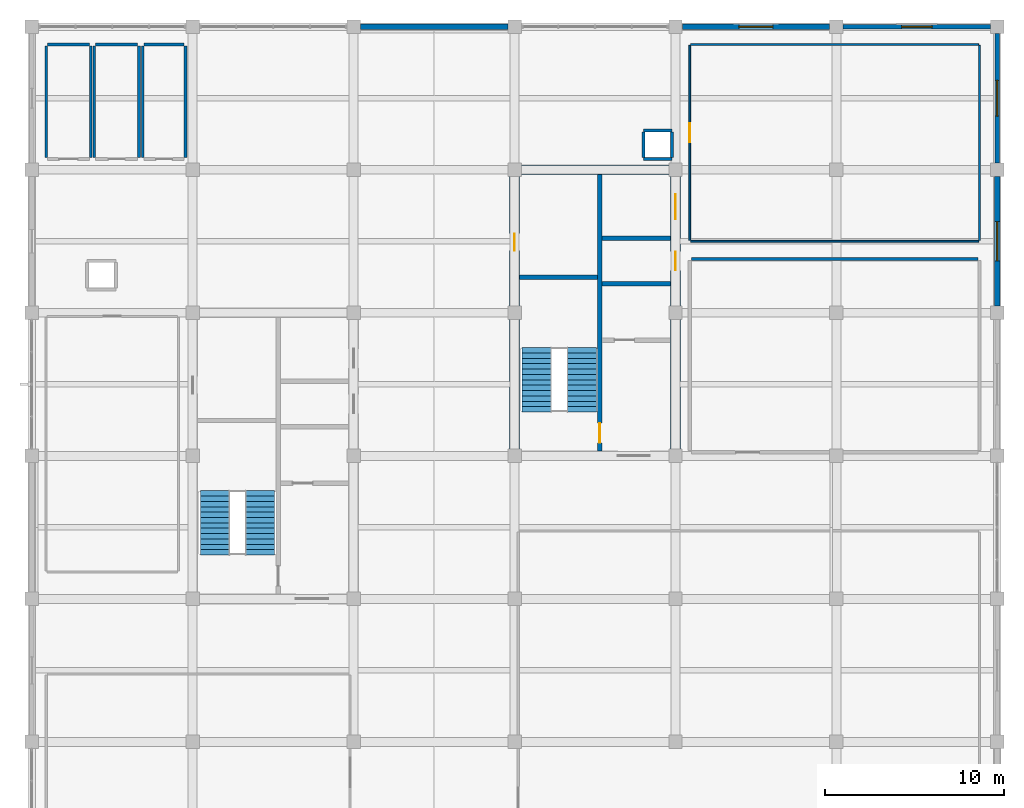
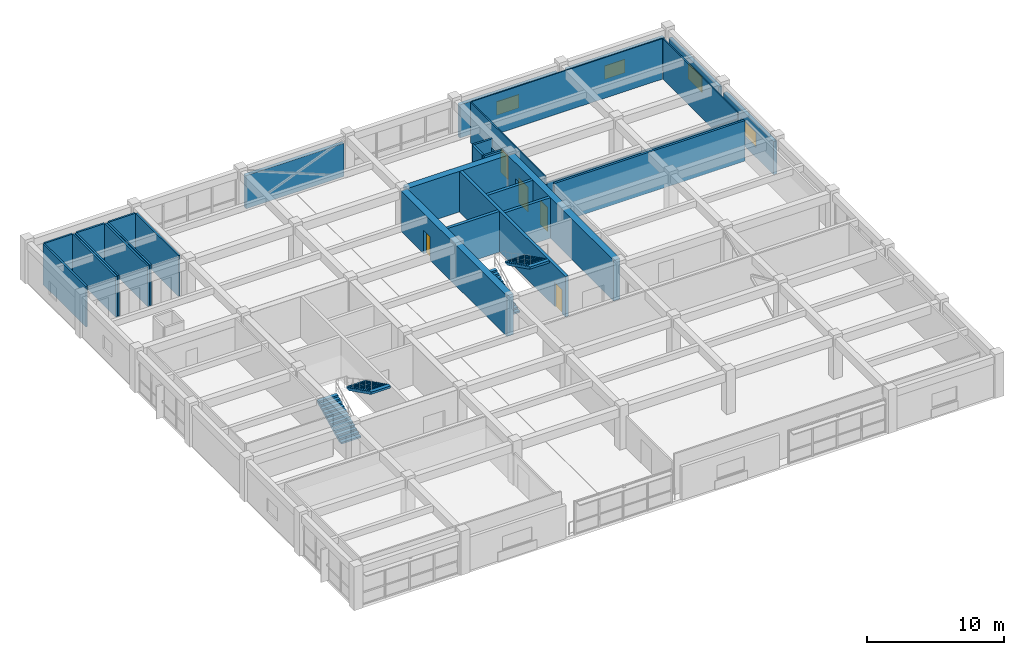
# One storey, part 13 of 15: 30 walls, 5 doors, 4 stair flights, 4 windows, 9 openings, 2 elements without a shape of their own.
"""IFC4 building model written with IfcOpenShell, lengths in metres."""

import ifcopenshell
import ifcopenshell.guid

model = None  # the IFC model being written
_history = None  # IfcOwnerHistory: only IFC2X3 demands one
_inside = {}  # id of a spatial element -> (the spatial element, [elements in it])
_under = {}  # id of a project, library or spatial element -> (it, [spatial elements below it])
_declared = {}  # id of a project -> (the project, [libraries it declares])
_typed = {}  # id of a type object -> (the type object, [elements of that type])
_made_of = {}  # id of a material, layer set ... -> (it, [elements and type objects made of it])


def new_model(schema):
    """Start an empty IFC model of exactly this schema.

    Asked for "IFC4X3", IfcOpenShell would pick the latest addendum, in which some entities
    have other attributes; the version numbers below select the first issue.
    IFC2X3 requires an IfcOwnerHistory on every rooted entity: one is made here for all.
    """
    global model, _history
    if schema == "IFC4X3":
        model = ifcopenshell.file(schema_version=(4, 3, 0, 0))
    else:
        model = ifcopenshell.file(schema=schema)
    _inside.clear()
    _under.clear()
    _declared.clear()
    _typed.clear()
    _made_of.clear()
    _history = None
    if model.schema == "IFC2X3":
        org = make("IfcOrganization", Name="unknown")
        user = make(
            "IfcPersonAndOrganization",
            ThePerson=make("IfcPerson", FamilyName="unknown"),
            TheOrganization=org,
        )
        app = make(
            "IfcApplication",
            ApplicationDeveloper=org,
            Version="unknown",
            ApplicationFullName="unknown",
            ApplicationIdentifier="unknown",
        )
        _history = make(
            "IfcOwnerHistory",
            OwningUser=user,
            OwningApplication=app,
            ChangeAction="ADDED",
            CreationDate=0,
        )
    return model


def make(cls, **values):
    """One entity of the class cls with the attributes given. An attribute that is None is left unset."""
    return model.create_entity(
        cls, **{name: value for name, value in values.items() if value is not None}
    )


def rooted(cls, **values):
    """An entity with a GlobalId (a new one), such as an element, a storey or a relation."""
    return make(cls, GlobalId=ifcopenshell.guid.new(), OwnerHistory=_history, **values)


def si_unit(unit_type, name, prefix=None):
    """IfcSIUnit, for example si_unit("LENGTHUNIT", "METRE", prefix="MILLI")."""
    return make("IfcSIUnit", UnitType=unit_type, Prefix=prefix, Name=name)


def assignment(units):
    """IfcUnitAssignment: the units of a project."""
    return None if units is None else make("IfcUnitAssignment", Units=units)


def point(xyz):
    """IfcCartesianPoint."""
    return None if xyz is None else make("IfcCartesianPoint", Coordinates=xyz)


def direction(xyz):
    """IfcDirection."""
    return None if xyz is None else make("IfcDirection", DirectionRatios=xyz)


def frame(location, z_axis=None, x_axis=None):
    """IfcAxis2Placement3D, a coordinate frame: its origin and axes. An axis left out is left unset."""
    return make(
        "IfcAxis2Placement3D",
        Location=point(location),
        Axis=direction(z_axis),
        RefDirection=direction(x_axis),
    )


def frame_2d(location, x_axis=None):
    """IfcAxis2Placement2D, a coordinate frame in the plane: its origin and x axis."""
    return make(
        "IfcAxis2Placement2D", Location=point(location), RefDirection=direction(x_axis)
    )


def origin():
    """The frame at (0, 0, 0) with its axes left unset."""
    return frame((0.0, 0.0, 0.0))


def place(relative_to, where):
    """IfcLocalPlacement: puts the frame where relative to a parent placement (None: the world)."""
    return make(
        "IfcLocalPlacement", PlacementRelTo=relative_to, RelativePlacement=where
    )


def context(
    kind, dimensions, precision=None, world=None, true_north=None, identifier=None
):
    """IfcGeometricRepresentationContext, for example the 3D "Model" context."""
    return make(
        "IfcGeometricRepresentationContext",
        ContextIdentifier=identifier,
        ContextType=kind,
        CoordinateSpaceDimension=dimensions,
        Precision=precision,
        WorldCoordinateSystem=world,
        TrueNorth=true_north,
    )


def subcontext(parent, identifier, kind, view, scale=None):
    """IfcGeometricRepresentationSubContext, for example "Body" below "Model"."""
    return make(
        "IfcGeometricRepresentationSubContext",
        ContextIdentifier=identifier,
        ContextType=kind,
        ParentContext=parent,
        TargetScale=scale,
        TargetView=view,
    )


def project(units=None, contexts=None):
    """IfcProject with its units and contexts."""
    return rooted(
        "IfcProject",
        Name="project",
        RepresentationContexts=contexts,
        UnitsInContext=assignment(units),
    )


def spatial(cls, under=None, at=None, **own):
    """A site, building, storey or space (cls), placed at a placement, below another one or the project."""
    s = rooted(cls, ObjectPlacement=at, **own)
    if under is not None:
        _under.setdefault(under.id(), (under, []))[1].append(s)
    return s


def polyline(points):
    """IfcPolyline through the points."""
    return make("IfcPolyline", Points=[point(p) for p in points])


def profile(cls, at=None, kind="AREA", **sizes):
    """A parametric profile (cls). Its sizes go by their IFC names, for example OverallWidth=200.0."""
    return make(cls, ProfileType=kind, Position=at, **sizes)


def rectangle(**sizes):
    """IfcRectangleProfileDef."""
    return profile("IfcRectangleProfileDef", **sizes)


def outline(outer, holes=None, kind="AREA"):
    """IfcArbitraryClosedProfileDef: a profile drawn as a closed curve; with holes, ...WithVoids."""
    if holes is None:
        return make("IfcArbitraryClosedProfileDef", ProfileType=kind, OuterCurve=outer)
    return make(
        "IfcArbitraryProfileDefWithVoids",
        ProfileType=kind,
        OuterCurve=outer,
        InnerCurves=holes,
    )


def extrude(swept, where, along, depth):
    """IfcExtrudedAreaSolid: the profile swept, set in the frame where, extruded along a direction by depth."""
    return make(
        "IfcExtrudedAreaSolid",
        SweptArea=swept,
        Position=where,
        ExtrudedDirection=direction(along),
        Depth=depth,
    )


def shape(context_of_items, identifier, shape_type, items):
    """IfcShapeRepresentation: the items that make up one representation, for example the "Body"."""
    return make(
        "IfcShapeRepresentation",
        ContextOfItems=context_of_items,
        RepresentationIdentifier=identifier,
        RepresentationType=shape_type,
        Items=items,
    )


def material(Name=None, Category=None):
    """IfcMaterial."""
    return make("IfcMaterial", Name=Name, Category=Category)


def layer(
    of_material, thickness, ventilated=None, Name=None, Category=None, Priority=None
):
    """IfcMaterialLayer: one layer of a wall or slab, of a material (None: an air gap)."""
    return make(
        "IfcMaterialLayer",
        Material=of_material,
        LayerThickness=thickness,
        IsVentilated=ventilated,
        Name=Name,
        Category=Category,
        Priority=Priority,
    )


def layer_set(layers, Name=None):
    """IfcMaterialLayerSet."""
    return make("IfcMaterialLayerSet", MaterialLayers=layers, LayerSetName=Name)


def made_of(thing, what):
    """Note that an element or type object is made of a material, layer set ...; save() writes the relation."""
    if what is not None:
        _made_of.setdefault(what.id(), (what, []))[1].append(thing)
    return thing


def type_object(cls, material=None, **own):
    """A type object (cls), such as IfcWallType, which elements share."""
    return made_of(rooted(cls, **own), material)


def element(
    cls,
    number,
    at=None,
    inside=None,
    cuts=None,
    type_object=None,
    material=None,
    context=None,
    identifier="Body",
    shape_type=None,
    held_by="IfcProductDefinitionShape",
    body=None,
    shapes=None,
    **own,
):
    """One element of the class cls, such as IfcWall. Its Tag is "e" and its number.

    at: its placement. inside: the storey or other place that contains it. cuts: it is an
    opening in that element (IfcRelVoidsElement). A single representation is given by context,
    identifier, shape_type and body (its items); several are given by shapes. held_by: the class
    of the entity that holds the representations. save() writes the other relations.
    """
    e = rooted(cls, Tag="e%d" % number, ObjectPlacement=at, **own)
    if body is not None:
        shapes = [shape(context, identifier, shape_type, body)]
    if shapes is not None:
        e.Representation = make(held_by, Representations=shapes)
    if inside is not None:
        _inside.setdefault(inside.id(), (inside, []))[1].append(e)
    if cuts is not None:
        rooted(
            "IfcRelVoidsElement", RelatingBuildingElement=cuts, RelatedOpeningElement=e
        )
    if type_object is not None:
        _typed.setdefault(type_object.id(), (type_object, []))[1].append(e)
    return made_of(e, material)


def fill(opening, filler):
    """IfcRelFillsElement: the door or window that sits in an opening."""
    return rooted(
        "IfcRelFillsElement",
        RelatingOpeningElement=opening,
        RelatedBuildingElement=filler,
    )


def aggregate(whole, parts):
    """IfcRelAggregates: a whole, such as a stair, and the parts it consists of."""
    return rooted("IfcRelAggregates", RelatingObject=whole, RelatedObjects=parts)


def save(model, path):
    """Write the relations noted so far, then the file.

    IfcRelAggregates (storeys below a building ...), IfcRelContainedInSpatialStructure (elements
    in a storey), IfcRelDefinesByType, IfcRelAssociatesMaterial and IfcRelDeclares: one each for
    every whole, place, type object, material and project.
    """
    for whole, parts in _under.values():
        aggregate(whole, parts)
    for where, things in _inside.values():
        rooted(
            "IfcRelContainedInSpatialStructure",
            RelatedElements=things,
            RelatingStructure=where,
        )
    for kind, things in _typed.values():
        rooted("IfcRelDefinesByType", RelatedObjects=things, RelatingType=kind)
    for what, things in _made_of.values():
        rooted("IfcRelAssociatesMaterial", RelatedObjects=things, RelatingMaterial=what)
    for by, libraries in _declared.values():
        rooted("IfcRelDeclares", RelatingContext=by, RelatedDefinitions=libraries)
    model.write(path)


model = new_model("IFC4")

# Units and contexts
model_context = context("Model", 3, precision=1e-05, world=origin(), true_north=direction((0.0, 1.0)))
body_context = subcontext(model_context, "Body", "Model", "MODEL_VIEW")
ifc_project = project(units=[si_unit("LENGTHUNIT", "METRE"), si_unit("AREAUNIT", "SQUARE_METRE"), si_unit("VOLUMEUNIT", "CUBIC_METRE"), si_unit("PLANEANGLEUNIT", "RADIAN"), si_unit("MASSUNIT", "GRAM", prefix="KILO")], contexts=[model_context])

# Site, building, storey
site_placement = place(None, origin())
site = spatial("IfcSite", under=ifc_project, at=site_placement, CompositionType="ELEMENT")
building_placement = place(site_placement, origin())
building = spatial("IfcBuilding", under=site, at=building_placement, Name="Zaverband Oceanarium and Marine Research Institute", CompositionType="ELEMENT")
storey_placement = place(building_placement, frame((0.0, 0.0, 49.199951171875)))
storey = spatial("IfcBuildingStorey", under=building, at=storey_placement, Name="L12", CompositionType="ELEMENT", Elevation=49.199951171875)

# Wall
ifc_material_1 = material(Name="Concrete C50/60", Category="concrete")
ifc_layer_1 = layer(ifc_material_1, 0.550048828125, Name="Concrete C50/60")
ifc_layer_set_1 = layer_set([ifc_layer_1], Name="Concrete C50/60")
wall_type_1 = type_object("IfcWallType", Name="CW-01", PredefinedType="SHEAR", material=ifc_layer_set_1)
wall_1_placement = place(storey_placement, frame((36.27490234375, 104.0, 0.0), z_axis=(0.0, 0.0, 1.0), x_axis=(1.0, 0.0, 0.0)))
element("IfcWall", 1, at=wall_1_placement, inside=storey, type_object=wall_type_1, Name="Structural shear wall CW-01", PredefinedType="SHEAR", context=body_context, shape_type="SweptSolid", body=[
    extrude(rectangle(XDim=8.4501953125, YDim=0.550048828125, at=frame_2d((4.22509765625, 0.0))), origin(), (0.0, 0.0, 1.0), 3.6201171875),
])

# Wall, opening, door
wall_2_placement = place(storey_placement, frame((36.0, 88.27490234375, 0.0), z_axis=(0.0, 0.0, 1.0), x_axis=(0.0, 1.0, 0.0)))
wall_2 = element("IfcWall", 2, at=wall_2_placement, inside=storey, type_object=wall_type_1, Name="Structural shear wall CW-01", PredefinedType="SHEAR", context=body_context, shape_type="SweptSolid", body=[
    extrude(rectangle(XDim=15.4501953125, YDim=0.550048828125, at=frame_2d((7.72509765625, 0.0))), origin(), (0.0, 0.0, 1.0), 3.6201171875),
])
opening_1_placement = place(wall_2_placement, frame((11.199951171875, 0.0, 0.0)))
opening_1 = element("IfcOpeningElement", 3, at=opening_1_placement, cuts=wall_2, Name="Opening FD-03", PredefinedType="OPENING", context=body_context, shape_type="SweptSolid", body=[
    extrude(rectangle(XDim=0.949951171875, YDim=2.10009765625, at=frame_2d((0.47509765625, 1.050048828125))), frame((0.0, 0.287109375, 0.0), z_axis=(0.0, -1.0, 0.0), x_axis=(1.0, 0.0, 0.0)), (0.0, 0.0, 1.0), 0.573974609375),
])
ifc_material_2 = material(Name="Steel S355", Category="steel")
door_type_1 = type_object("IfcDoorType", Name="FD-03", OperationType="NOTDEFINED", PredefinedType="DOOR", material=ifc_material_2)
door_1_placement = place(opening_1_placement, origin())
door_1 = element("IfcDoor", 4, at=door_1_placement, inside=storey, type_object=door_type_1, Name="Service riser access fire door FD-03", OperationType="SINGLE_SWING_RIGHT", OverallHeight=2.10009765625, OverallWidth=0.949951171875, PredefinedType="DOOR", context=body_context, shape_type="SweptSolid", body=[
    extrude(rectangle(XDim=0.949951171875, YDim=2.10009765625, at=frame_2d((0.47509765625, 1.050048828125))), frame((0.0, 0.02490234375, 0.0), z_axis=(0.0, -1.0, 0.0), x_axis=(1.0, 0.0, 0.0)), (0.0, 0.0, 1.0), 0.050048828125),
])
fill(opening_1, door_1)

# Wall, openings, doors
wall_3_placement = place(storey_placement, frame((45.0, 88.27490234375, 0.0), z_axis=(0.0, 0.0, 1.0), x_axis=(0.0, 1.0, 0.0)))
wall_3 = element("IfcWall", 5, at=wall_3_placement, inside=storey, type_object=wall_type_1, Name="Structural shear wall CW-01", PredefinedType="SHEAR", context=body_context, shape_type="SweptSolid", body=[
    extrude(rectangle(XDim=15.4501953125, YDim=0.550048828125, at=frame_2d((7.72509765625, 0.0))), origin(), (0.0, 0.0, 1.0), 3.6201171875),
])
opening_2_placement = place(wall_3_placement, frame((10.10009765625, 0.0, 0.0)))
opening_2 = element("IfcOpeningElement", 6, at=opening_2_placement, cuts=wall_3, Name="Opening LD-02", PredefinedType="OPENING", context=body_context, shape_type="SweptSolid", body=[
    extrude(rectangle(XDim=1.050048828125, YDim=2.1201171875, at=frame_2d((0.52490234375, 1.06005859375))), frame((0.0, 0.287109375, 0.0), z_axis=(0.0, -1.0, 0.0), x_axis=(1.0, 0.0, 0.0)), (0.0, 0.0, 1.0), 0.573974609375),
])
opening_3_placement = place(wall_3_placement, frame((12.949951171875, 0.0, 0.0)))
opening_3 = element("IfcOpeningElement", 7, at=opening_3_placement, cuts=wall_3, Name="Opening LD-03", PredefinedType="OPENING", context=body_context, shape_type="SweptSolid", body=[
    extrude(rectangle(XDim=1.39990234375, YDim=2.199951171875, at=frame_2d((0.699951171875, 1.10009765625))), frame((0.0, 0.287109375, 0.0), z_axis=(0.0, -1.0, 0.0), x_axis=(1.0, 0.0, 0.0)), (0.0, 0.0, 1.0), 0.573974609375),
])
door_type_2 = type_object("IfcDoorType", Name="LD-02", OperationType="DOUBLE_DOOR_SLIDING", PredefinedType="DOOR", material=ifc_material_2)
door_2_placement = place(opening_2_placement, origin())
door_2 = element("IfcDoor", 8, at=door_2_placement, inside=storey, type_object=door_type_2, Name="Passenger lift sliding landing door LD-02", OperationType="DOUBLE_DOOR_SLIDING", OverallHeight=2.1201171875, OverallWidth=1.050048828125, PredefinedType="DOOR", context=body_context, shape_type="SweptSolid", body=[
    extrude(rectangle(XDim=1.050048828125, YDim=2.1201171875, at=frame_2d((0.52490234375, 1.06005859375))), frame((0.0, 0.02490234375, 0.0), z_axis=(0.0, -1.0, 0.0), x_axis=(1.0, 0.0, 0.0)), (0.0, 0.0, 1.0), 0.050048828125),
])
fill(opening_2, door_2)
door_type_3 = type_object("IfcDoorType", Name="LD-03", OperationType="DOUBLE_DOOR_SLIDING", PredefinedType="DOOR", material=ifc_material_2)
door_3_placement = place(opening_3_placement, origin())
door_3 = element("IfcDoor", 9, at=door_3_placement, inside=storey, type_object=door_type_3, Name="Specimen goods lift sliding landing door LD-03", OperationType="DOUBLE_DOOR_SLIDING", OverallHeight=2.199951171875, OverallWidth=1.39990234375, PredefinedType="DOOR", context=body_context, shape_type="SweptSolid", body=[
    extrude(rectangle(XDim=1.39990234375, YDim=2.199951171875, at=frame_2d((0.699951171875, 1.10009765625))), frame((0.0, 0.02490234375, 0.0), z_axis=(0.0, -1.0, 0.0), x_axis=(1.0, 0.0, 0.0)), (0.0, 0.0, 1.0), 0.050048828125),
])
fill(opening_3, door_3)

# Wall, opening, window
ifc_material_3 = material(Name="Concrete C40/50 precast", Category="concrete")
ifc_layer_2 = layer(ifc_material_3, 0.264892578125, Name="Concrete C40/50 precast")
ifc_layer_set_2 = layer_set([ifc_layer_2], Name="Concrete C40/50 precast")
wall_type_2 = type_object("IfcWallType", Name="EW-265", PredefinedType="STANDARD", material=ifc_layer_set_2)
wall_4_placement = place(storey_placement, frame((54.3798828125, 112.0, 0.0), z_axis=(0.0, 0.0, 1.0), x_axis=(1.0, 0.0, 0.0)))
wall_4 = element("IfcWall", 10, at=wall_4_placement, inside=storey, type_object=wall_type_2, Name="Exterior infill wall EW-265", PredefinedType="STANDARD", context=body_context, shape_type="SweptSolid", body=[
    extrude(rectangle(XDim=8.240234375, YDim=0.264892578125, at=frame_2d((4.1201171875, 0.0))), origin(), (0.0, 0.0, 1.0), 2.949951171875),
])
opening_4_placement = place(wall_4_placement, frame((3.27001953125, 0.0, 0.85009765625)))
opening_4 = element("IfcOpeningElement", 11, at=opening_4_placement, cuts=wall_4, Name="Opening WN-1700x1200", PredefinedType="OPENING", context=body_context, shape_type="SweptSolid", body=[
    extrude(rectangle(XDim=1.699951171875, YDim=1.199951171875, at=frame_2d((0.85009765625, 0.60009765625))), frame((0.0, 0.14453125, 0.0), z_axis=(0.0, -1.0, 0.0), x_axis=(1.0, 0.0, 0.0)), (0.0, 0.0, 1.0), 0.288818359375),
])
ifc_material_4 = material(Name="Thermally broken anodized aluminium and solar-control glass", Category="aluminium")
window_type_1 = type_object("IfcWindowType", Name="WN-1700x1200", PartitioningType="SINGLE_PANEL", PredefinedType="WINDOW", material=ifc_material_4)
window_1_placement = place(opening_4_placement, origin())
window_1 = element("IfcWindow", 12, at=window_1_placement, inside=storey, type_object=window_type_1, Name="Fixed / casement exterior window WN-1700x1200", OverallHeight=1.199951171875, OverallWidth=1.699951171875, PartitioningType="SINGLE_PANEL", PredefinedType="WINDOW", context=body_context, shape_type="SweptSolid", body=[
    extrude(rectangle(XDim=1.699951171875, YDim=1.199951171875, at=frame_2d((0.85009765625, 0.60009765625))), frame((0.0, 0.030029296875, 0.0), z_axis=(0.0, -1.0, 0.0), x_axis=(1.0, 0.0, 0.0)), (0.0, 0.0, 1.0), 0.06005859375),
])
fill(opening_4, window_1)

wall_5_placement = place(storey_placement, frame((63.0, 104.3798828125, 0.0), z_axis=(0.0, 0.0, 1.0), x_axis=(0.0, 1.0, 0.0)))
wall_5 = element("IfcWall", 13, at=wall_5_placement, inside=storey, type_object=wall_type_2, Name="Exterior infill wall EW-265", PredefinedType="STANDARD", context=body_context, shape_type="SweptSolid", body=[
    extrude(rectangle(XDim=7.240234375, YDim=0.264892578125, at=frame_2d((3.6201171875, 0.0))), origin(), (0.0, 0.0, 1.0), 2.949951171875),
])
opening_5_placement = place(wall_5_placement, frame((2.6201171875, 0.0, 0.85009765625)))
opening_5 = element("IfcOpeningElement", 14, at=opening_5_placement, cuts=wall_5, Name="Opening WN-2000x1350", PredefinedType="OPENING", context=body_context, shape_type="SweptSolid", body=[
    extrude(rectangle(XDim=2.0, YDim=1.35009765625, at=frame_2d((1.0, 0.675048828125))), frame((0.0, 0.14453125, 0.0), z_axis=(0.0, -1.0, 0.0), x_axis=(1.0, 0.0, 0.0)), (0.0, 0.0, 1.0), 0.288818359375),
])
window_type_2 = type_object("IfcWindowType", Name="WN-2000x1350", PartitioningType="SINGLE_PANEL", PredefinedType="WINDOW", material=ifc_material_4)
window_2_placement = place(opening_5_placement, origin())
window_2 = element("IfcWindow", 15, at=window_2_placement, inside=storey, type_object=window_type_2, Name="Fixed / casement exterior window WN-2000x1350", OverallHeight=1.35009765625, OverallWidth=2.0, PartitioningType="SINGLE_PANEL", PredefinedType="WINDOW", context=body_context, shape_type="SweptSolid", body=[
    extrude(rectangle(XDim=2.0, YDim=1.35009765625, at=frame_2d((1.0, 0.675048828125))), frame((0.0, 0.030029296875, 0.0), z_axis=(0.0, -1.0, 0.0), x_axis=(1.0, 0.0, 0.0)), (0.0, 0.0, 1.0), 0.06005859375),
])
fill(opening_5, window_2)

# Wall
ifc_layer_3 = layer(ifc_material_3, 0.2900390625, Name="Concrete C40/50 precast")
ifc_layer_set_3 = layer_set([ifc_layer_3], Name="Concrete C40/50 precast")
wall_type_3 = type_object("IfcWallType", Name="EW-290", PredefinedType="STANDARD", material=ifc_layer_set_3)
wall_6_placement = place(storey_placement, frame((27.3798828125, 112.0, 0.0), z_axis=(0.0, 0.0, 1.0), x_axis=(1.0, 0.0, 0.0)))
element("IfcWall", 16, at=wall_6_placement, inside=storey, type_object=wall_type_3, Name="Exterior infill wall EW-290", PredefinedType="STANDARD", context=body_context, shape_type="SweptSolid", body=[
    extrude(rectangle(XDim=8.240234375, YDim=0.2900390625, at=frame_2d((4.1201171875, 0.0))), origin(), (0.0, 0.0, 1.0), 2.949951171875),
])

# Wall, opening, window
wall_7_placement = place(storey_placement, frame((45.3798828125, 112.0, 0.0), z_axis=(0.0, 0.0, 1.0), x_axis=(1.0, 0.0, 0.0)))
wall_7 = element("IfcWall", 17, at=wall_7_placement, inside=storey, type_object=wall_type_3, Name="Exterior infill wall EW-290", PredefinedType="STANDARD", context=body_context, shape_type="SweptSolid", body=[
    extrude(rectangle(XDim=8.240234375, YDim=0.2900390625, at=frame_2d((4.1201171875, 0.0))), origin(), (0.0, 0.0, 1.0), 2.949951171875),
])
opening_6_placement = place(wall_7_placement, frame((3.169921875, 0.0, 0.85009765625)))
opening_6 = element("IfcOpeningElement", 18, at=opening_6_placement, cuts=wall_7, Name="Opening WN-1900x1200", PredefinedType="OPENING", context=body_context, shape_type="SweptSolid", body=[
    extrude(rectangle(XDim=1.89990234375, YDim=1.199951171875, at=frame_2d((0.949951171875, 0.60009765625))), frame((0.0, 0.156982421875, 0.0), z_axis=(0.0, -1.0, 0.0), x_axis=(1.0, 0.0, 0.0)), (0.0, 0.0, 1.0), 0.31396484375),
])
window_type_3 = type_object("IfcWindowType", Name="WN-1900x1200", PartitioningType="SINGLE_PANEL", PredefinedType="WINDOW", material=ifc_material_4)
window_3_placement = place(opening_6_placement, origin())
window_3 = element("IfcWindow", 19, at=window_3_placement, inside=storey, type_object=window_type_3, Name="Fixed / casement exterior window WN-1900x1200", OverallHeight=1.199951171875, OverallWidth=1.89990234375, PartitioningType="SINGLE_PANEL", PredefinedType="WINDOW", context=body_context, shape_type="SweptSolid", body=[
    extrude(rectangle(XDim=1.89990234375, YDim=1.199951171875, at=frame_2d((0.949951171875, 0.60009765625))), frame((0.0, 0.030029296875, 0.0), z_axis=(0.0, -1.0, 0.0), x_axis=(1.0, 0.0, 0.0)), (0.0, 0.0, 1.0), 0.06005859375),
])
fill(opening_6, window_3)

wall_8_placement = place(storey_placement, frame((63.0, 96.3798828125, 0.0), z_axis=(0.0, 0.0, 1.0), x_axis=(0.0, 1.0, 0.0)))
wall_8 = element("IfcWall", 20, at=wall_8_placement, inside=storey, type_object=wall_type_3, Name="Exterior infill wall EW-290", PredefinedType="STANDARD", context=body_context, shape_type="SweptSolid", body=[
    extrude(rectangle(XDim=7.240234375, YDim=0.2900390625, at=frame_2d((3.6201171875, 0.0))), origin(), (0.0, 0.0, 1.0), 2.949951171875),
])
opening_7_placement = place(wall_8_placement, frame((2.52001953125, 0.0, 0.85009765625)))
opening_7 = element("IfcOpeningElement", 21, at=opening_7_placement, cuts=wall_8, Name="Opening WN-2200x1350", PredefinedType="OPENING", context=body_context, shape_type="SweptSolid", body=[
    extrude(rectangle(XDim=2.199951171875, YDim=1.35009765625, at=frame_2d((1.10009765625, 0.675048828125))), frame((0.0, 0.156982421875, 0.0), z_axis=(0.0, -1.0, 0.0), x_axis=(1.0, 0.0, 0.0)), (0.0, 0.0, 1.0), 0.31396484375),
])
window_type_4 = type_object("IfcWindowType", Name="WN-2200x1350", PartitioningType="SINGLE_PANEL", PredefinedType="WINDOW", material=ifc_material_4)
window_4_placement = place(opening_7_placement, origin())
window_4 = element("IfcWindow", 22, at=window_4_placement, inside=storey, type_object=window_type_4, Name="Fixed / casement exterior window WN-2200x1350", OverallHeight=1.35009765625, OverallWidth=2.199951171875, PartitioningType="SINGLE_PANEL", PredefinedType="WINDOW", context=body_context, shape_type="SweptSolid", body=[
    extrude(rectangle(XDim=2.199951171875, YDim=1.35009765625, at=frame_2d((1.10009765625, 0.675048828125))), frame((0.0, 0.030029296875, 0.0), z_axis=(0.0, -1.0, 0.0), x_axis=(1.0, 0.0, 0.0)), (0.0, 0.0, 1.0), 0.06005859375),
])
fill(opening_7, window_4)

# Walls
ifc_material_5 = material(Name="Framed fire-rated glass laboratory partition", Category="glass")
ifc_layer_4 = layer(ifc_material_5, 0.10009765625, Name="Framed fire-rated glass laboratory partition")
ifc_layer_set_4 = layer_set([ifc_layer_4], Name="Framed fire-rated glass laboratory partition")
wall_type_4 = type_object("IfcWallType", Name="PT-100-GL", PredefinedType="PARTITIONING", material=ifc_layer_set_4)
wall_9_placement = place(storey_placement, frame((45.85009765625, 100.0, 0.0), z_axis=(0.0, 0.0, 1.0), x_axis=(1.0, 0.0, 0.0)))
element("IfcWall", 23, at=wall_9_placement, inside=storey, type_object=wall_type_4, Name="Internal partition PT-100-GL", PredefinedType="PARTITIONING", context=body_context, shape_type="SweptSolid", body=[
    extrude(rectangle(XDim=16.099853515625, YDim=0.10009765625, at=frame_2d((8.0498046875, 0.0))), origin(), (0.0, 0.0, 1.0), 3.070068359375),
])
wall_10_placement = place(storey_placement, frame((45.85009765625, 111.0, 0.0), z_axis=(0.0, 0.0, 1.0), x_axis=(1.0, 0.0, 0.0)))
element("IfcWall", 24, at=wall_10_placement, inside=storey, type_object=wall_type_4, Name="Internal partition PT-100-GL", PredefinedType="PARTITIONING", context=body_context, shape_type="SweptSolid", body=[
    extrude(rectangle(XDim=16.099853515625, YDim=0.10009765625, at=frame_2d((8.0498046875, 0.0))), origin(), (0.0, 0.0, 1.0), 3.6201171875),
])

# Wall, opening, door
wall_11_placement = place(storey_placement, frame((45.800048828125, 100.050048828125, 0.0), z_axis=(0.0, 0.0, 1.0), x_axis=(0.0, 1.0, 0.0)))
wall_11 = element("IfcWall", 25, at=wall_11_placement, inside=storey, type_object=wall_type_4, Name="Internal partition PT-100-GL", PredefinedType="PARTITIONING", context=body_context, shape_type="SweptSolid", body=[
    extrude(rectangle(XDim=10.89990234375, YDim=0.10009765625, at=frame_2d((5.449951171875, 0.0))), origin(), (0.0, 0.0, 1.0), 3.6201171875),
])
opening_8_placement = place(wall_11_placement, frame((5.5, 0.0, 0.0)))
opening_8 = element("IfcOpeningElement", 26, at=opening_8_placement, cuts=wall_11, Name="Opening ID-1050x2100", PredefinedType="OPENING", context=body_context, shape_type="SweptSolid", body=[
    extrude(rectangle(XDim=1.050048828125, YDim=2.10009765625, at=frame_2d((0.52490234375, 1.050048828125))), frame((0.0, 0.06201171875, 0.0), z_axis=(0.0, -1.0, 0.0), x_axis=(1.0, 0.0, 0.0)), (0.0, 0.0, 1.0), 0.1240234375),
])
ifc_material_6 = material(Name="Hardwood-veneered acoustic timber", Category="wood")
door_type_4 = type_object("IfcDoorType", Name="ID-1050x2100", OperationType="NOTDEFINED", PredefinedType="DOOR", material=ifc_material_6)
door_4_placement = place(opening_8_placement, origin())
door_4 = element("IfcDoor", 27, at=door_4_placement, inside=storey, type_object=door_type_4, Name="Dry laboratory door ID-1050x2100", OperationType="SINGLE_SWING_RIGHT", OverallHeight=2.10009765625, OverallWidth=1.050048828125, PredefinedType="DOOR", context=body_context, shape_type="SweptSolid", body=[
    extrude(rectangle(XDim=1.050048828125, YDim=2.10009765625, at=frame_2d((0.52490234375, 1.050048828125))), frame((0.0, 0.02490234375, 0.0), z_axis=(0.0, -1.0, 0.0), x_axis=(1.0, 0.0, 0.0)), (0.0, 0.0, 1.0), 0.050048828125),
])
fill(opening_8, door_4)

# Walls
wall_12_placement = place(storey_placement, frame((62.0, 100.050048828125, 0.0), z_axis=(0.0, 0.0, 1.0), x_axis=(0.0, 1.0, 0.0)))
element("IfcWall", 28, at=wall_12_placement, inside=storey, type_object=wall_type_4, Name="Internal partition PT-100-GL", PredefinedType="PARTITIONING", context=body_context, shape_type="SweptSolid", body=[
    extrude(rectangle(XDim=10.89990234375, YDim=0.10009765625, at=frame_2d((5.449951171875, 0.0))), origin(), (0.0, 0.0, 1.0), 3.6201171875),
])
ifc_material_7 = material(Name="Ceramic-tiled wet-room blockwork", Category="masonry")
ifc_layer_5 = layer(ifc_material_7, 0.14990234375, Name="Ceramic-tiled wet-room blockwork")
ifc_layer_set_5 = layer_set([ifc_layer_5], Name="Ceramic-tiled wet-room blockwork")
wall_type_5 = type_object("IfcWallType", Name="PT-150-WC", PredefinedType="PARTITIONING", material=ifc_layer_set_5)
wall_13_placement = place(storey_placement, frame((9.875, 111.0, 0.0), z_axis=(0.0, 0.0, 1.0), x_axis=(1.0, 0.0, 0.0)))
element("IfcWall", 29, at=wall_13_placement, inside=storey, type_object=wall_type_5, Name="Internal partition PT-150-WC", PredefinedType="PARTITIONING", context=body_context, shape_type="SweptSolid", body=[
    extrude(rectangle(XDim=2.35009765625, YDim=0.14990234375, at=frame_2d((1.175048828125, 0.0))), origin(), (0.0, 0.0, 1.0), 3.6201171875),
])
for number, where, z_axis, x_axis, name in (
    (30, (9.800048828125, 104.675048828125, 0.0), (0.0, 0.0, 1.0), (0.0, 1.0, 0.0), "Internal partition PT-150-WC"),
    (31, (12.300048828125, 104.675048828125, 0.0), (0.0, 0.0, 1.0), (0.0, 1.0, 0.0), "Internal partition PT-150-WC"),
):
    element("IfcWall", number, at=place(storey_placement, frame(where, z_axis=z_axis, x_axis=x_axis)), inside=storey, type_object=wall_type_5, Name=name, PredefinedType="PARTITIONING", context=body_context, shape_type="SweptSolid", body=[
        extrude(rectangle(XDim=6.25, YDim=0.14990234375, at=frame_2d((3.125, 0.0))), origin(), (0.0, 0.0, 1.0), 3.6201171875),
    ])
wall_14_placement = place(storey_placement, frame((12.574951171875, 111.0, 0.0), z_axis=(0.0, 0.0, 1.0), x_axis=(1.0, 0.0, 0.0)))
element("IfcWall", 32, at=wall_14_placement, inside=storey, type_object=wall_type_5, Name="Internal partition PT-150-WC", PredefinedType="PARTITIONING", context=body_context, shape_type="SweptSolid", body=[
    extrude(rectangle(XDim=2.35009765625, YDim=0.14990234375, at=frame_2d((1.175048828125, 0.0))), origin(), (0.0, 0.0, 1.0), 3.6201171875),
])
for number, where, z_axis, x_axis, name in (
    (33, (12.5, 104.675048828125, 0.0), (0.0, 0.0, 1.0), (0.0, 1.0, 0.0), "Internal partition PT-150-WC"),
    (34, (15.0, 104.675048828125, 0.0), (0.0, 0.0, 1.0), (0.0, 1.0, 0.0), "Internal partition PT-150-WC"),
):
    element("IfcWall", number, at=place(storey_placement, frame(where, z_axis=z_axis, x_axis=x_axis)), inside=storey, type_object=wall_type_5, Name=name, PredefinedType="PARTITIONING", context=body_context, shape_type="SweptSolid", body=[
        extrude(rectangle(XDim=6.25, YDim=0.14990234375, at=frame_2d((3.125, 0.0))), origin(), (0.0, 0.0, 1.0), 3.6201171875),
    ])
wall_15_placement = place(storey_placement, frame((15.27490234375, 111.0, 0.0), z_axis=(0.0, 0.0, 1.0), x_axis=(1.0, 0.0, 0.0)))
element("IfcWall", 35, at=wall_15_placement, inside=storey, type_object=wall_type_5, Name="Internal partition PT-150-WC", PredefinedType="PARTITIONING", context=body_context, shape_type="SweptSolid", body=[
    extrude(rectangle(XDim=2.25, YDim=0.14990234375, at=frame_2d((1.125, 0.0))), origin(), (0.0, 0.0, 1.0), 3.6201171875),
])
for number, where, z_axis, x_axis, name in (
    (36, (15.199951171875, 104.675048828125, 0.0), (0.0, 0.0, 1.0), (0.0, 1.0, 0.0), "Internal partition PT-150-WC"),
    (37, (17.60009765625, 104.675048828125, 0.0), (0.0, 0.0, 1.0), (0.0, 1.0, 0.0), "Internal partition PT-150-WC"),
):
    element("IfcWall", number, at=place(storey_placement, frame(where, z_axis=z_axis, x_axis=x_axis)), inside=storey, type_object=wall_type_5, Name=name, PredefinedType="PARTITIONING", context=body_context, shape_type="SweptSolid", body=[
        extrude(rectangle(XDim=6.25, YDim=0.14990234375, at=frame_2d((3.125, 0.0))), origin(), (0.0, 0.0, 1.0), 3.6201171875),
    ])
ifc_material_8 = material(Name="Corridor rated drywall partition")
ifc_layer_6 = layer(ifc_material_8, 0.1650390625, Name="Corridor rated drywall partition")
ifc_layer_set_6 = layer_set([ifc_layer_6], Name="Corridor rated drywall partition")
wall_type_6 = type_object("IfcWallType", Name="PT-165-CR", PredefinedType="PARTITIONING", material=ifc_layer_set_6)
for number, where, z_axis, x_axis, name in (
    (38, (43.199951171875, 104.60009765625, 0.0), (0.0, 0.0, 1.0), (1.0, 0.0, 0.0), "Internal partition PT-165-CR"),
    (39, (43.199951171875, 106.199951171875, 0.0), (0.0, 0.0, 1.0), (1.0, 0.0, 0.0), "Internal partition PT-165-CR"),
):
    element("IfcWall", number, at=place(storey_placement, frame(where, z_axis=z_axis, x_axis=x_axis)), inside=storey, type_object=wall_type_6, Name=name, PredefinedType="PARTITIONING", context=body_context, shape_type="SweptSolid", body=[
        extrude(rectangle(XDim=1.60009765625, YDim=0.1650390625, at=frame_2d((0.800048828125, 0.0))), origin(), (0.0, 0.0, 1.0), 3.6201171875),
    ])
wall_16_placement = place(storey_placement, frame((43.199951171875, 104.679931640625, 0.0), z_axis=(0.0, 0.0, 1.0), x_axis=(0.0, 1.0, 0.0)))
element("IfcWall", 40, at=wall_16_placement, inside=storey, type_object=wall_type_6, Name="Internal partition PT-165-CR", PredefinedType="PARTITIONING", context=body_context, shape_type="SweptSolid", body=[
    extrude(rectangle(XDim=1.440185546875, YDim=0.1650390625, at=frame_2d((0.72021484375, 0.0))), origin(), (0.0, 0.0, 1.0), 3.6201171875),
])
wall_17_placement = place(storey_placement, frame((44.800048828125, 104.679931640625, 0.0), z_axis=(0.0, 0.0, 1.0), x_axis=(0.0, 1.0, 0.0)))
element("IfcWall", 41, at=wall_17_placement, inside=storey, type_object=wall_type_6, Name="Internal partition PT-165-CR", PredefinedType="PARTITIONING", context=body_context, shape_type="SweptSolid", body=[
    extrude(rectangle(XDim=1.440185546875, YDim=0.1650390625, at=frame_2d((0.72021484375, 0.0))), origin(), (0.0, 0.0, 1.0), 2.8701171875),
])
ifc_material_9 = material(Name="Moisture-resistant laboratory blockwork", Category="masonry")
ifc_layer_7 = layer(ifc_material_9, 0.179931640625, Name="Moisture-resistant laboratory blockwork")
ifc_layer_set_7 = layer_set([ifc_layer_7], Name="Moisture-resistant laboratory blockwork")
wall_type_7 = type_object("IfcWallType", Name="PT-180-LB", PredefinedType="PARTITIONING", material=ifc_layer_set_7)
wall_18_placement = place(storey_placement, frame((45.889892578125, 99.0, 0.0), z_axis=(0.0, 0.0, 1.0), x_axis=(1.0, 0.0, 0.0)))
element("IfcWall", 42, at=wall_18_placement, inside=storey, type_object=wall_type_7, Name="Internal partition PT-180-LB", PredefinedType="PARTITIONING", context=body_context, shape_type="SweptSolid", body=[
    extrude(rectangle(XDim=16.02001953125, YDim=0.179931640625, at=frame_2d((8.010009765625, 0.0))), origin(), (0.0, 0.0, 1.0), 3.6201171875),
])

# Wall, opening, door
ifc_layer_8 = layer(ifc_material_1, 0.25, Name="Concrete C50/60")
ifc_layer_set_8 = layer_set([ifc_layer_8], Name="Concrete C50/60")
wall_type_8 = type_object("IfcWallType", Name="PW-CORE-250", PredefinedType="SOLIDWALL", material=ifc_layer_set_8)
wall_19_placement = place(storey_placement, frame((40.77490234375, 88.27490234375, 0.0), z_axis=(0.0, 0.0, 1.0), x_axis=(0.0, 1.0, 0.0)))
wall_19 = element("IfcWall", 43, at=wall_19_placement, inside=storey, type_object=wall_type_8, Name="Structural concrete wall PW-CORE-250", PredefinedType="SOLIDWALL", context=body_context, shape_type="SweptSolid", body=[
    extrude(rectangle(XDim=15.4501953125, YDim=0.25, at=frame_2d((7.72509765625, 0.0))), origin(), (0.0, 0.0, 1.0), 3.6201171875),
])
opening_9_placement = place(wall_19_placement, frame((0.449951171875, 0.0, 0.0)))
opening_9 = element("IfcOpeningElement", 44, at=opening_9_placement, cuts=wall_19, Name="Opening FD-01", PredefinedType="OPENING", context=body_context, shape_type="SweptSolid", body=[
    extrude(rectangle(XDim=1.10009765625, YDim=2.14990234375, at=frame_2d((0.550048828125, 1.074951171875))), frame((0.0, 0.136962890625, 0.0), z_axis=(0.0, -1.0, 0.0), x_axis=(1.0, 0.0, 0.0)), (0.0, 0.0, 1.0), 0.27392578125),
])
door_type_5 = type_object("IfcDoorType", Name="FD-01", OperationType="NOTDEFINED", PredefinedType="DOOR", material=ifc_material_2)
door_5_placement = place(opening_9_placement, origin())
door_5 = element("IfcDoor", 45, at=door_5_placement, inside=storey, type_object=door_type_5, Name="Core stair / lobby fire door FD-01", OperationType="SINGLE_SWING_LEFT", OverallHeight=2.14990234375, OverallWidth=1.10009765625, PredefinedType="DOOR", context=body_context, shape_type="SweptSolid", body=[
    extrude(rectangle(XDim=1.10009765625, YDim=2.14990234375, at=frame_2d((0.550048828125, 1.074951171875))), frame((0.0, 0.02490234375, 0.0), z_axis=(0.0, -1.0, 0.0), x_axis=(1.0, 0.0, 0.0)), (0.0, 0.0, 1.0), 0.050048828125),
])
fill(opening_9, door_5)

# Walls
wall_20_placement = place(storey_placement, frame((36.27490234375, 97.97509765625, 0.0), z_axis=(0.0, 0.0, 1.0), x_axis=(1.0, 0.0, 0.0)))
element("IfcWall", 46, at=wall_20_placement, inside=storey, type_object=wall_type_8, Name="Structural concrete wall PW-CORE-250", PredefinedType="SOLIDWALL", context=body_context, shape_type="SweptSolid", body=[
    extrude(rectangle(XDim=4.3701171875, YDim=0.25, at=frame_2d((2.18505859375, 0.0))), origin(), (0.0, 0.0, 1.0), 3.6201171875),
])
for number, where, z_axis, x_axis, name in (
    (47, (40.905029296875, 97.6298828125, 0.0), (0.0, 0.0, 1.0), (1.0, 0.0, 0.0), "Structural concrete wall PW-CORE-250"),
    (48, (40.905029296875, 100.179931640625, 0.0), (0.0, 0.0, 1.0), (1.0, 0.0, 0.0), "Structural concrete wall PW-CORE-250"),
):
    element("IfcWall", number, at=place(storey_placement, frame(where, z_axis=z_axis, x_axis=x_axis)), inside=storey, type_object=wall_type_8, Name=name, PredefinedType="SOLIDWALL", context=body_context, shape_type="SweptSolid", body=[
        extrude(rectangle(XDim=3.820068359375, YDim=0.25, at=frame_2d((1.91015625, 0.0))), origin(), (0.0, 0.0, 1.0), 3.6201171875),
    ])

# Stair, stair flights
ifc_material_10 = material(Name="Concrete C40/50", Category="concrete")
stair_type = type_object("IfcStairType", Name="STR-TWR-1650-3900", PredefinedType="HALF_TURN_STAIR", material=ifc_material_10)
stair_1_placement = place(storey_placement, origin())
stair_1 = element("IfcStair", 49, at=stair_1_placement, inside=storey, type_object=stair_type, Name="Exit Stair ST-01 (L12)", PredefinedType="HALF_TURN_STAIR")
stair_flight_type = type_object("IfcStairFlightType", Name="STR-TWR-1650-3900-FL", PredefinedType="STRAIGHT", material=ifc_material_10)
stair_flight_1_placement = place(storey_placement, frame((19.2548828125, 82.449951171875, 0.0), z_axis=(0.0, 0.0, 1.0), x_axis=(0.0, 1.0, 0.0)))
stair_flight_1 = element("IfcStairFlight", 50, at=stair_flight_1_placement, type_object=stair_flight_type, Name="Reinforced concrete stair flight ST-01-F1", NumberOfRisers=13, NumberOfTreads=12, PredefinedType="STRAIGHT", RiserHeight=0.15, TreadLength=0.3, context=body_context, shape_type="SweptSolid", body=[
    extrude(outline(polyline([(0.0, 0.0), (0.0, 0.14990234375), (0.300048828125, 0.14990234375), (0.300048828125, 0.300048828125), (0.60009765625, 0.300048828125), (0.60009765625, 0.449951171875), (0.89990234375, 0.449951171875), (0.89990234375, 0.60009765625), (1.199951171875, 0.60009765625), (1.199951171875, 0.75), (1.5, 0.75), (1.5, 0.89990234375), (1.800048828125, 0.89990234375), (1.800048828125, 1.050048828125), (2.10009765625, 1.050048828125), (2.10009765625, 1.199951171875), (2.39990234375, 1.199951171875), (2.39990234375, 1.35009765625), (2.699951171875, 1.35009765625), (2.699951171875, 1.5), (3.0, 1.5), (3.0, 1.64990234375), (3.300048828125, 1.64990234375), (3.300048828125, 1.800048828125), (3.60009765625, 1.800048828125), (3.60009765625, 1.949951171875), (3.60009765625, 1.598876953125), (0.40234375, 0.0), (0.0, 0.0)])), frame((0.0, 0.824951171875, 0.0), z_axis=(0.0, -1.0, 0.0), x_axis=(1.0, 0.0, 0.0)), (0.0, 0.0, 1.0), 1.64990234375),
])
stair_flight_2_placement = place(storey_placement, frame((21.7451171875, 86.050048828125, 1.949951171875), z_axis=(0.0, 0.0, 1.0), x_axis=(0.0, -1.0, 0.0)))
stair_flight_2 = element("IfcStairFlight", 51, at=stair_flight_2_placement, type_object=stair_flight_type, Name="Reinforced concrete stair flight ST-01-F2", NumberOfRisers=13, NumberOfTreads=12, PredefinedType="STRAIGHT", RiserHeight=0.15, TreadLength=0.3, context=body_context, shape_type="SweptSolid", body=[
    extrude(outline(polyline([(0.0, 0.0), (0.0, 0.14990234375), (0.300048828125, 0.14990234375), (0.300048828125, 0.300048828125), (0.60009765625, 0.300048828125), (0.60009765625, 0.449951171875), (0.89990234375, 0.449951171875), (0.89990234375, 0.60009765625), (1.199951171875, 0.60009765625), (1.199951171875, 0.75), (1.5, 0.75), (1.5, 0.89990234375), (1.800048828125, 0.89990234375), (1.800048828125, 1.050048828125), (2.10009765625, 1.050048828125), (2.10009765625, 1.199951171875), (2.39990234375, 1.199951171875), (2.39990234375, 1.35009765625), (2.699951171875, 1.35009765625), (2.699951171875, 1.5), (3.0, 1.5), (3.0, 1.64990234375), (3.300048828125, 1.64990234375), (3.300048828125, 1.800048828125), (3.60009765625, 1.800048828125), (3.60009765625, 1.949951171875), (3.60009765625, 1.598876953125), (0.40234375, 0.0), (0.0, 0.0)])), frame((0.0, 0.824951171875, 0.0), z_axis=(0.0, -1.0, 0.0), x_axis=(1.0, 0.0, 0.0)), (0.0, 0.0, 1.0), 1.64990234375),
])
aggregate(stair_1, [stair_flight_1, stair_flight_2])

stair_2_placement = place(storey_placement, origin())
stair_2 = element("IfcStair", 52, at=stair_2_placement, inside=storey, type_object=stair_type, Name="Exit Stair ST-02 (L12)", PredefinedType="HALF_TURN_STAIR")
stair_flight_3_placement = place(storey_placement, frame((37.2548828125, 90.449951171875, 0.0), z_axis=(0.0, 0.0, 1.0), x_axis=(0.0, 1.0, 0.0)))
stair_flight_3 = element("IfcStairFlight", 53, at=stair_flight_3_placement, type_object=stair_flight_type, Name="Reinforced concrete stair flight ST-02-F1", NumberOfRisers=13, NumberOfTreads=12, PredefinedType="STRAIGHT", RiserHeight=0.15, TreadLength=0.3, context=body_context, shape_type="SweptSolid", body=[
    extrude(outline(polyline([(0.0, 0.0), (0.0, 0.14990234375), (0.300048828125, 0.14990234375), (0.300048828125, 0.300048828125), (0.60009765625, 0.300048828125), (0.60009765625, 0.449951171875), (0.89990234375, 0.449951171875), (0.89990234375, 0.60009765625), (1.199951171875, 0.60009765625), (1.199951171875, 0.75), (1.5, 0.75), (1.5, 0.89990234375), (1.800048828125, 0.89990234375), (1.800048828125, 1.050048828125), (2.10009765625, 1.050048828125), (2.10009765625, 1.199951171875), (2.39990234375, 1.199951171875), (2.39990234375, 1.35009765625), (2.699951171875, 1.35009765625), (2.699951171875, 1.5), (3.0, 1.5), (3.0, 1.64990234375), (3.300048828125, 1.64990234375), (3.300048828125, 1.800048828125), (3.60009765625, 1.800048828125), (3.60009765625, 1.949951171875), (3.60009765625, 1.598876953125), (0.40234375, 0.0), (0.0, 0.0)])), frame((0.0, 0.824951171875, 0.0), z_axis=(0.0, -1.0, 0.0), x_axis=(1.0, 0.0, 0.0)), (0.0, 0.0, 1.0), 1.64990234375),
])
stair_flight_4_placement = place(storey_placement, frame((39.7451171875, 94.050048828125, 1.949951171875), z_axis=(0.0, 0.0, 1.0), x_axis=(0.0, -1.0, 0.0)))
stair_flight_4 = element("IfcStairFlight", 54, at=stair_flight_4_placement, type_object=stair_flight_type, Name="Reinforced concrete stair flight ST-02-F2", NumberOfRisers=13, NumberOfTreads=12, PredefinedType="STRAIGHT", RiserHeight=0.15, TreadLength=0.3, context=body_context, shape_type="SweptSolid", body=[
    extrude(outline(polyline([(0.0, 0.0), (0.0, 0.14990234375), (0.300048828125, 0.14990234375), (0.300048828125, 0.300048828125), (0.60009765625, 0.300048828125), (0.60009765625, 0.449951171875), (0.89990234375, 0.449951171875), (0.89990234375, 0.60009765625), (1.199951171875, 0.60009765625), (1.199951171875, 0.75), (1.5, 0.75), (1.5, 0.89990234375), (1.800048828125, 0.89990234375), (1.800048828125, 1.050048828125), (2.10009765625, 1.050048828125), (2.10009765625, 1.199951171875), (2.39990234375, 1.199951171875), (2.39990234375, 1.35009765625), (2.699951171875, 1.35009765625), (2.699951171875, 1.5), (3.0, 1.5), (3.0, 1.64990234375), (3.300048828125, 1.64990234375), (3.300048828125, 1.800048828125), (3.60009765625, 1.800048828125), (3.60009765625, 1.949951171875), (3.60009765625, 1.598876953125), (0.40234375, 0.0), (0.0, 0.0)])), frame((0.0, 0.824951171875, 0.0), z_axis=(0.0, -1.0, 0.0), x_axis=(1.0, 0.0, 0.0)), (0.0, 0.0, 1.0), 1.64990234375),
])
aggregate(stair_2, [stair_flight_3, stair_flight_4])

save(model, "model.ifc")
